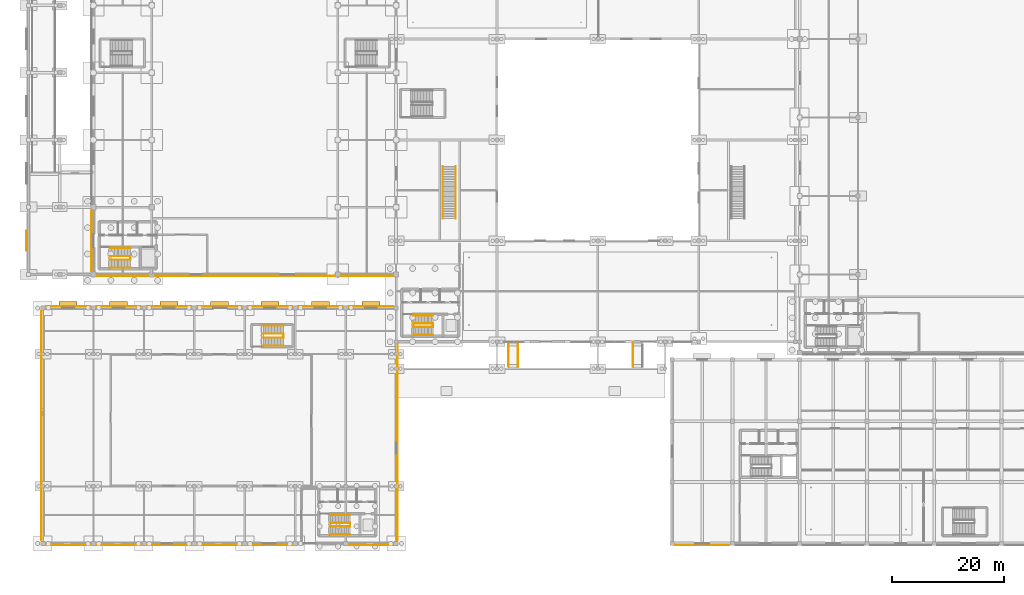
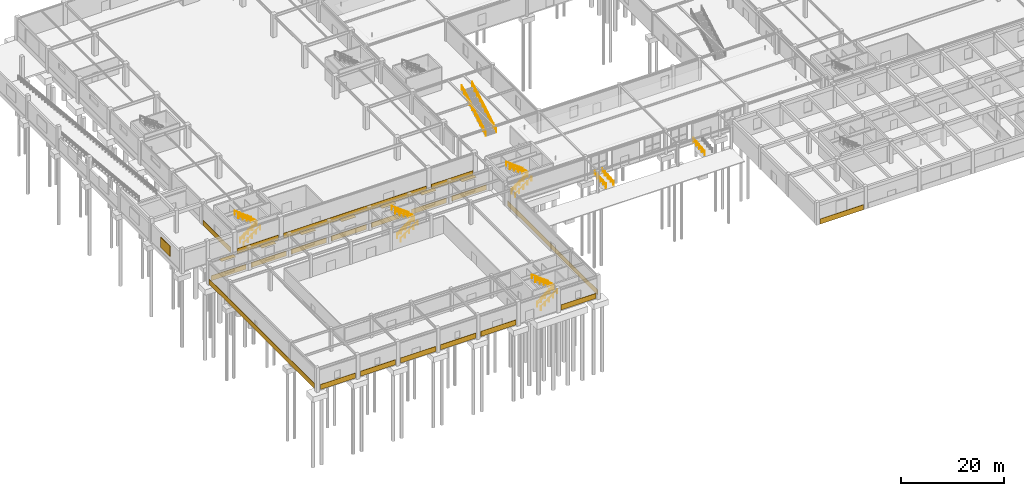
# One storey, part 48 of 53: 20 coverings, 17 railings, 8 shading devices.
"""IFC4 building model written with IfcOpenShell, lengths in metres."""

from ifc_helpers import new_model, si_unit, derived_unit, direction, frame, origin, origin_2d, place, context, subcontext, project, spatial, rectangle, circle, extrude, material, layer, layer_set, type_object, element, save


model = new_model("IFC4")

# Units and contexts
model_context = context("Model", 3, precision=1e-05, world=origin(), true_north=direction((0.0, 1.0)))
body_context = subcontext(model_context, "Body", "Model", "MODEL_VIEW")
ifc_project = project(units=[si_unit("LENGTHUNIT", "METRE"), si_unit("AREAUNIT", "SQUARE_METRE"), si_unit("VOLUMEUNIT", "CUBIC_METRE"), si_unit("PLANEANGLEUNIT", "RADIAN"), si_unit("MASSUNIT", "GRAM", prefix="KILO"), derived_unit("THERMALTRANSMITTANCEUNIT", [(si_unit("POWERUNIT", "WATT"), 1), (si_unit("LENGTHUNIT", "METRE"), -2), (si_unit("THERMODYNAMICTEMPERATUREUNIT", "KELVIN"), -1)])], contexts=[model_context])

# Site, building, storey
site_placement = place(None, origin())
site = spatial("IfcSite", under=ifc_project, at=site_placement, CompositionType="ELEMENT")
building_placement = place(site_placement, origin())
building = spatial("IfcBuilding", under=site, at=building_placement, Name="Almenara Railside Exhibition Hall", CompositionType="ELEMENT")
storey_placement = place(building_placement, origin())
storey = spatial("IfcBuildingStorey", under=building, at=storey_placement, Name="L00", CompositionType="ELEMENT", Elevation=0.0)

# Shading devices
ifc_material_1 = material(Name="Bronze-anodised acoustic aluminium louvre", Category="aluminium")
shading_device_type_1 = type_object("IfcShadingDeviceType", Name="Acoustic Ramp Ventilation Louvre Bank 3600x2400", PredefinedType="JALOUSIE", material=ifc_material_1)
shading_device_placement = place(storey_placement, frame((0.132568359375, 54.0, 1.0), z_axis=(0.0, 0.0, 1.0), x_axis=(0.0, 1.0, 0.0)))
element("IfcShadingDevice", 1, at=shading_device_placement, inside=storey, type_object=shading_device_type_1, Name="Truck ramp acoustic louvre 0029", PredefinedType="JALOUSIE", context=body_context, shape_type="SweptSolid", body=[
    extrude(rectangle(XDim=3.60009765625, YDim=0.14990234375, at=origin_2d()), origin(), (0.0, 0.0, 1.0), 2.39990234375),
])
ifc_material_2 = material(Name="Bronze-anodised aluminium solar brise-soleil", Category="aluminium")
shading_device_type_2 = type_object("IfcShadingDeviceType", Name="North Solar Brise-Soleil Hood 900mm", PredefinedType="USERDEFINED", material=ifc_material_2)
for number, where, z_axis, x_axis, name in (
    (2, (7.5, 42.68994140625, 3.7099609375), (0.0, 0.0, 1.0), (-1.0, 0.0, 0.0), "Solar brise-soleil 0003"),
    (3, (16.5, 42.68994140625, 3.7099609375), (0.0, 0.0, 1.0), (-1.0, 0.0, 0.0), "Solar brise-soleil 0004"),
    (4, (25.5, 42.68994140625, 3.7099609375), (0.0, 0.0, 1.0), (-1.0, 0.0, 0.0), "Solar brise-soleil 0005"),
    (5, (34.5, 42.68994140625, 3.7099609375), (0.0, 0.0, 1.0), (-1.0, 0.0, 0.0), "Solar brise-soleil 0006"),
    (6, (43.5, 42.68994140625, 3.7099609375), (0.0, 0.0, 1.0), (-1.0, 0.0, 0.0), "Solar brise-soleil 0007"),
    (7, (52.5, 42.68994140625, 3.7099609375), (0.0, 0.0, 1.0), (-1.0, 0.0, 0.0), "Solar brise-soleil 0008"),
    (8, (61.5, 42.68994140625, 3.7099609375), (0.0, 0.0, 1.0), (-1.0, 0.0, 0.0), "Solar brise-soleil 0009"),
):
    element("IfcShadingDevice", number, at=place(storey_placement, frame(where, z_axis=z_axis, x_axis=x_axis)), inside=storey, type_object=shading_device_type_2, Name=name, ObjectType="BRISE_SOLEIL", PredefinedType="USERDEFINED", context=body_context, shape_type="SweptSolid", body=[
        extrude(rectangle(XDim=3.199951171875, YDim=0.89990234375, at=origin_2d()), origin(), (0.0, 0.0, 1.0), 0.139892578125),
    ])

# Coverings
ifc_material_3 = material(Name="Koppie quartzite dressed stone cladding", Category="masonry")
ifc_layer = layer(ifc_material_3, 0.080078125, Name="Koppie quartzite dressed stone cladding")
ifc_layer_set = layer_set([ifc_layer], Name="Koppie quartzite dressed stone cladding")
covering_type = type_object("IfcCoveringType", Name="Rusticated Koppie Quartzite Plinth Cladding 80mm", PredefinedType="CLADDING", material=ifc_layer_set)
covering_1_placement = place(storey_placement, frame((11.68994140625, 54.0, 0.0), z_axis=(0.0, 0.0, 1.0), x_axis=(0.0, -1.0, 0.0)))
element("IfcCovering", 9, at=covering_1_placement, inside=storey, type_object=covering_type, Name="Stone plinth cladding 0001", PredefinedType="CLADDING", context=body_context, shape_type="SweptSolid", body=[
    extrude(rectangle(XDim=10.89990234375, YDim=0.080078125, at=origin_2d()), origin(), (0.0, 0.0, 1.0), 1.199951171875),
])
covering_2_placement = place(storey_placement, frame((17.199951171875, 47.68994140625, 0.0), z_axis=(0.0, 0.0, 1.0), x_axis=(1.0, 0.0, 0.0)))
element("IfcCovering", 10, at=covering_2_placement, inside=storey, type_object=covering_type, Name="Stone plinth cladding 0010", PredefinedType="CLADDING", context=body_context, shape_type="SweptSolid", body=[
    extrude(rectangle(XDim=9.300048828125, YDim=0.080078125, at=origin_2d()), origin(), (0.0, 0.0, 1.0), 1.199951171875),
])
covering_3_placement = place(storey_placement, frame((39.0, 47.68994140625, 0.0), z_axis=(0.0, 0.0, 1.0), x_axis=(1.0, 0.0, 0.0)))
element("IfcCovering", 11, at=covering_3_placement, inside=storey, type_object=covering_type, Name="Stone plinth cladding 0011", PredefinedType="CLADDING", context=body_context, shape_type="SweptSolid", body=[
    extrude(rectangle(XDim=32.10009765625, YDim=0.080078125, at=origin_2d()), origin(), (0.0, 0.0, 1.0), 1.199951171875),
])
covering_4_placement = place(storey_placement, frame((60.800048828125, 47.68994140625, 0.0), z_axis=(0.0, 0.0, 1.0), x_axis=(1.0, 0.0, 0.0)))
element("IfcCovering", 12, at=covering_4_placement, inside=storey, type_object=covering_type, Name="Stone plinth cladding 0012", PredefinedType="CLADDING", context=body_context, shape_type="SweptSolid", body=[
    extrude(rectangle(XDim=9.300048828125, YDim=0.080078125, at=origin_2d()), origin(), (0.0, 0.0, 1.0), 1.199951171875),
])
for number, where, z_axis, x_axis, name in (
    (13, (7.5, -0.280029296875, 0.0), (0.0, 0.0, 1.0), (1.0, 0.0, 0.0), "Stone plinth cladding 0029"),
    (14, (7.5, 42.280029296875, 0.0), (0.0, 0.0, 1.0), (-1.0, 0.0, 0.0), "Stone plinth cladding 0030"),
    (15, (16.5, -0.280029296875, 0.0), (0.0, 0.0, 1.0), (1.0, 0.0, 0.0), "Stone plinth cladding 0031"),
    (16, (16.5, 42.280029296875, 0.0), (0.0, 0.0, 1.0), (-1.0, 0.0, 0.0), "Stone plinth cladding 0032"),
    (17, (25.5, -0.280029296875, 0.0), (0.0, 0.0, 1.0), (1.0, 0.0, 0.0), "Stone plinth cladding 0033"),
    (18, (25.5, 42.280029296875, 0.0), (0.0, 0.0, 1.0), (-1.0, 0.0, 0.0), "Stone plinth cladding 0034"),
    (19, (34.5, -0.280029296875, 0.0), (0.0, 0.0, 1.0), (1.0, 0.0, 0.0), "Stone plinth cladding 0035"),
    (20, (34.5, 42.280029296875, 0.0), (0.0, 0.0, 1.0), (-1.0, 0.0, 0.0), "Stone plinth cladding 0036"),
    (21, (43.5, -0.280029296875, 0.0), (0.0, 0.0, 1.0), (1.0, 0.0, 0.0), "Stone plinth cladding 0037"),
    (22, (43.5, 42.280029296875, 0.0), (0.0, 0.0, 1.0), (-1.0, 0.0, 0.0), "Stone plinth cladding 0038"),
    (23, (52.5, 42.280029296875, 0.0), (0.0, 0.0, 1.0), (-1.0, 0.0, 0.0), "Stone plinth cladding 0039"),
    (24, (61.5, -0.280029296875, 0.0), (0.0, 0.0, 1.0), (1.0, 0.0, 0.0), "Stone plinth cladding 0040"),
    (25, (61.5, 42.280029296875, 0.0), (0.0, 0.0, 1.0), (-1.0, 0.0, 0.0), "Stone plinth cladding 0041"),
):
    element("IfcCovering", number, at=place(storey_placement, frame(where, z_axis=z_axis, x_axis=x_axis)), inside=storey, type_object=covering_type, Name=name, PredefinedType="CLADDING", context=body_context, shape_type="SweptSolid", body=[
        extrude(rectangle(XDim=7.89990234375, YDim=0.080078125, at=origin_2d()), origin(), (0.0, 0.0, 1.0), 1.199951171875),
    ])
covering_5_placement = place(storey_placement, frame((2.719970703125, 21.0, 0.0), z_axis=(0.0, 0.0, 1.0), x_axis=(0.0, -1.0, 0.0)))
element("IfcCovering", 26, at=covering_5_placement, inside=storey, type_object=covering_type, Name="Stone plinth cladding 0042", PredefinedType="CLADDING", context=body_context, shape_type="SweptSolid", body=[
    extrude(rectangle(XDim=40.89990234375, YDim=0.080078125, at=origin_2d()), origin(), (0.0, 0.0, 1.0), 1.199951171875),
])
covering_6_placement = place(storey_placement, frame((66.280029296875, 18.0, 0.0), z_axis=(0.0, 0.0, 1.0), x_axis=(0.0, 1.0, 0.0)))
element("IfcCovering", 27, at=covering_6_placement, inside=storey, type_object=covering_type, Name="Stone plinth cladding 0043", PredefinedType="CLADDING", context=body_context, shape_type="SweptSolid", body=[
    extrude(rectangle(XDim=34.89990234375, YDim=0.080078125, at=origin_2d()), origin(), (0.0, 0.0, 1.0), 1.199951171875),
])
covering_7_placement = place(storey_placement, frame((120.60009765625, -0.264892578125, 0.0), z_axis=(0.0, 0.0, 1.0), x_axis=(1.0, 0.0, 0.0)))
element("IfcCovering", 28, at=covering_7_placement, inside=storey, type_object=covering_type, Name="Stone plinth cladding 0047", PredefinedType="CLADDING", context=body_context, shape_type="SweptSolid", body=[
    extrude(rectangle(XDim=9.699951171875, YDim=0.080078125, at=origin_2d()), origin(), (0.0, 0.0, 1.0), 1.199951171875),
])

# Railings
ifc_material_4 = material(Name="Bronze-finished tubular steel handrail", Category="steel")
railing_type_1 = type_object("IfcRailingType", Name="Stair Pitch Handrail 920mm", PredefinedType="HANDRAIL", material=ifc_material_4)
railing_1_placement = place(storey_placement, frame((14.949951171875, 49.199951171875, 0.0)))
element("IfcRailing", 29, at=railing_1_placement, inside=storey, type_object=railing_type_1, Name="HR-L00-0001", PredefinedType="HANDRAIL", context=body_context, shape_type="SweptSolid", body=[
    extrude(circle(Radius=0.02392578125, at=origin_2d()), frame((0.0, 0.0, 0.89599609375), z_axis=(0.803944740431, 0.0, 0.594704005647), x_axis=(0.0, 1.0, 0.0)), (0.0, 0.0, 1.0), 4.5400390625),
    extrude(circle(Radius=0.02099609375, at=origin_2d()), origin(), (0.0, 0.0, 1.0), 0.871826171875),
    extrude(circle(Radius=0.02099609375, at=origin_2d()), frame((0.91259765625, 0.0, 0.675048828125)), (0.0, 0.0, 1.0), 0.871826171875),
    extrude(circle(Radius=0.02099609375, at=origin_2d()), frame((1.824951171875, 0.0, 1.35009765625)), (0.0, 0.0, 1.0), 0.871826171875),
    extrude(circle(Radius=0.02099609375, at=origin_2d()), frame((2.7373046875, 0.0, 2.02490234375)), (0.0, 0.0, 1.0), 0.871826171875),
    extrude(circle(Radius=0.02099609375, at=origin_2d()), frame((3.64990234375, 0.0, 2.699951171875)), (0.0, 0.0, 1.0), 0.871826171875),
])
railing_2_placement = place(storey_placement, frame((18.599853515625, 52.699951171875, 2.699951171875)))
element("IfcRailing", 30, at=railing_2_placement, inside=storey, type_object=railing_type_1, Name="HR-L00-0002", PredefinedType="HANDRAIL", context=body_context, shape_type="SweptSolid", body=[
    extrude(circle(Radius=0.02392578125, at=origin_2d()), frame((0.0, 0.0, 0.89599609375), z_axis=(-0.803944740431, 0.0, 0.594704005647), x_axis=(0.0, -1.0, 0.0)), (0.0, 0.0, 1.0), 4.5400390625),
    extrude(circle(Radius=0.02099609375, at=origin_2d()), origin(), (0.0, 0.0, 1.0), 0.871826171875),
    extrude(circle(Radius=0.02099609375, at=origin_2d()), frame((-0.91259765625, 0.0, 0.675048828125)), (0.0, 0.0, 1.0), 0.871826171875),
    extrude(circle(Radius=0.02099609375, at=origin_2d()), frame((-1.824951171875, 0.0, 1.35009765625)), (0.0, 0.0, 1.0), 0.871826171875),
    extrude(circle(Radius=0.02099609375, at=origin_2d()), frame((-2.7373046875, 0.0, 2.02490234375)), (0.0, 0.0, 1.0), 0.871826171875),
    extrude(circle(Radius=0.02099609375, at=origin_2d()), frame((-3.64990234375, 0.0, 2.699951171875)), (0.0, 0.0, 1.0), 0.871826171875),
])
railing_3_placement = place(storey_placement, frame((68.949951171875, 37.199951171875, 0.0)))
element("IfcRailing", 31, at=railing_3_placement, inside=storey, type_object=railing_type_1, Name="HR-L00-0021", PredefinedType="HANDRAIL", context=body_context, shape_type="SweptSolid", body=[
    extrude(circle(Radius=0.02392578125, at=origin_2d()), frame((0.0, 0.0, 0.89599609375), z_axis=(0.803944740431, 0.0, 0.594704005647), x_axis=(0.0, 1.0, 0.0)), (0.0, 0.0, 1.0), 4.5400390625),
    extrude(circle(Radius=0.02099609375, at=origin_2d()), origin(), (0.0, 0.0, 1.0), 0.871826171875),
    extrude(circle(Radius=0.02099609375, at=origin_2d()), frame((0.91259765625, 0.0, 0.675048828125)), (0.0, 0.0, 1.0), 0.871826171875),
    extrude(circle(Radius=0.02099609375, at=origin_2d()), frame((1.824951171875, 0.0, 1.35009765625)), (0.0, 0.0, 1.0), 0.871826171875),
    extrude(circle(Radius=0.02099609375, at=origin_2d()), frame((2.7373046875, 0.0, 2.02490234375)), (0.0, 0.0, 1.0), 0.871826171875),
    extrude(circle(Radius=0.02099609375, at=origin_2d()), frame((3.64990234375, 0.0, 2.699951171875)), (0.0, 0.0, 1.0), 0.871826171875),
])
railing_4_placement = place(storey_placement, frame((72.599853515625, 40.699951171875, 2.699951171875)))
element("IfcRailing", 32, at=railing_4_placement, inside=storey, type_object=railing_type_1, Name="HR-L00-0022", PredefinedType="HANDRAIL", context=body_context, shape_type="SweptSolid", body=[
    extrude(circle(Radius=0.02392578125, at=origin_2d()), frame((0.0, 0.0, 0.89599609375), z_axis=(-0.803944740431, 0.0, 0.594704005647), x_axis=(0.0, -1.0, 0.0)), (0.0, 0.0, 1.0), 4.5400390625),
    extrude(circle(Radius=0.02099609375, at=origin_2d()), origin(), (0.0, 0.0, 1.0), 0.871826171875),
    extrude(circle(Radius=0.02099609375, at=origin_2d()), frame((-0.91259765625, 0.0, 0.675048828125)), (0.0, 0.0, 1.0), 0.871826171875),
    extrude(circle(Radius=0.02099609375, at=origin_2d()), frame((-1.824951171875, 0.0, 1.35009765625)), (0.0, 0.0, 1.0), 0.871826171875),
    extrude(circle(Radius=0.02099609375, at=origin_2d()), frame((-2.7373046875, 0.0, 2.02490234375)), (0.0, 0.0, 1.0), 0.871826171875),
    extrude(circle(Radius=0.02099609375, at=origin_2d()), frame((-3.64990234375, 0.0, 2.699951171875)), (0.0, 0.0, 1.0), 0.871826171875),
])
railing_5_placement = place(storey_placement, frame((54.14990234375, 1.60009765625, 0.0)))
element("IfcRailing", 33, at=railing_5_placement, inside=storey, type_object=railing_type_1, Name="HR-L00-0061", PredefinedType="HANDRAIL", context=body_context, shape_type="SweptSolid", body=[
    extrude(circle(Radius=0.02392578125, at=origin_2d()), frame((0.0, 0.0, 0.89599609375), z_axis=(0.803944740431, 0.0, 0.594704005647), x_axis=(0.0, 1.0, 0.0)), (0.0, 0.0, 1.0), 4.5400390625),
    extrude(circle(Radius=0.02099609375, at=origin_2d()), origin(), (0.0, 0.0, 1.0), 0.871826171875),
    extrude(circle(Radius=0.02099609375, at=origin_2d()), frame((0.91259765625, 0.0, 0.675048828125)), (0.0, 0.0, 1.0), 0.871826171875),
    extrude(circle(Radius=0.02099609375, at=origin_2d()), frame((1.824951171875, 0.0, 1.35009765625)), (0.0, 0.0, 1.0), 0.871826171875),
    extrude(circle(Radius=0.02099609375, at=origin_2d()), frame((2.7373046875, 0.0, 2.02490234375)), (0.0, 0.0, 1.0), 0.871826171875),
    extrude(circle(Radius=0.02099609375, at=origin_2d()), frame((3.64990234375, 0.0, 2.699951171875)), (0.0, 0.0, 1.0), 0.871826171875),
])
railing_6_placement = place(storey_placement, frame((57.7998046875, 5.10009765625, 2.699951171875)))
element("IfcRailing", 34, at=railing_6_placement, inside=storey, type_object=railing_type_1, Name="HR-L00-0062", PredefinedType="HANDRAIL", context=body_context, shape_type="SweptSolid", body=[
    extrude(circle(Radius=0.02392578125, at=origin_2d()), frame((0.0, 0.0, 0.89599609375), z_axis=(-0.803944740431, 0.0, 0.594704005647), x_axis=(0.0, -1.0, 0.0)), (0.0, 0.0, 1.0), 4.5400390625),
    extrude(circle(Radius=0.02099609375, at=origin_2d()), origin(), (0.0, 0.0, 1.0), 0.871826171875),
    extrude(circle(Radius=0.02099609375, at=origin_2d()), frame((-0.91259765625, 0.0, 0.675048828125)), (0.0, 0.0, 1.0), 0.871826171875),
    extrude(circle(Radius=0.02099609375, at=origin_2d()), frame((-1.824951171875, 0.0, 1.35009765625)), (0.0, 0.0, 1.0), 0.871826171875),
    extrude(circle(Radius=0.02099609375, at=origin_2d()), frame((-2.7373046875, 0.0, 2.02490234375)), (0.0, 0.0, 1.0), 0.871826171875),
    extrude(circle(Radius=0.02099609375, at=origin_2d()), frame((-3.64990234375, 0.0, 2.699951171875)), (0.0, 0.0, 1.0), 0.871826171875),
])
railing_7_placement = place(storey_placement, frame((42.14990234375, 35.300048828125, 0.0)))
element("IfcRailing", 35, at=railing_7_placement, inside=storey, type_object=railing_type_1, Name="HR-L00-0125", PredefinedType="HANDRAIL", context=body_context, shape_type="SweptSolid", body=[
    extrude(circle(Radius=0.02392578125, at=origin_2d()), frame((0.0, 0.0, 0.89599609375), z_axis=(0.813740573448, 0.0, 0.581228250453), x_axis=(0.0, 1.0, 0.0)), (0.0, 0.0, 1.0), 4.645263671875),
    extrude(circle(Radius=0.02099609375, at=origin_2d()), origin(), (0.0, 0.0, 1.0), 0.871826171875),
    extrude(circle(Radius=0.02099609375, at=origin_2d()), frame((0.945068359375, 0.0, 0.675048828125)), (0.0, 0.0, 1.0), 0.871826171875),
    extrude(circle(Radius=0.02099609375, at=origin_2d()), frame((1.89013671875, 0.0, 1.35009765625)), (0.0, 0.0, 1.0), 0.871826171875),
    extrude(circle(Radius=0.02099609375, at=origin_2d()), frame((2.8349609375, 0.0, 2.02490234375)), (0.0, 0.0, 1.0), 0.871826171875),
    extrude(circle(Radius=0.02099609375, at=origin_2d()), frame((3.780029296875, 0.0, 2.699951171875)), (0.0, 0.0, 1.0), 0.871826171875),
])
railing_8_placement = place(storey_placement, frame((45.929931640625, 38.85009765625, 2.699951171875)))
element("IfcRailing", 36, at=railing_8_placement, inside=storey, type_object=railing_type_1, Name="HR-L00-0126", PredefinedType="HANDRAIL", context=body_context, shape_type="SweptSolid", body=[
    extrude(circle(Radius=0.02392578125, at=origin_2d()), frame((0.0, 0.0, 0.89599609375), z_axis=(-0.813740573448, 0.0, 0.581228250453), x_axis=(0.0, -1.0, 0.0)), (0.0, 0.0, 1.0), 4.645263671875),
    extrude(circle(Radius=0.02099609375, at=origin_2d()), origin(), (0.0, 0.0, 1.0), 0.871826171875),
    extrude(circle(Radius=0.02099609375, at=origin_2d()), frame((-0.945068359375, 0.0, 0.675048828125)), (0.0, 0.0, 1.0), 0.871826171875),
    extrude(circle(Radius=0.02099609375, at=origin_2d()), frame((-1.89013671875, 0.0, 1.35009765625)), (0.0, 0.0, 1.0), 0.871826171875),
    extrude(circle(Radius=0.02099609375, at=origin_2d()), frame((-2.8349609375, 0.0, 2.02490234375)), (0.0, 0.0, 1.0), 0.871826171875),
    extrude(circle(Radius=0.02099609375, at=origin_2d()), frame((-3.780029296875, 0.0, 2.699951171875)), (0.0, 0.0, 1.0), 0.871826171875),
])
ifc_material_5 = material(Name="Dark wrought-iron stair balustrade")
railing_type_2 = type_object("IfcRailingType", Name="Stair Well Guard Rail 1120mm", PredefinedType="BALUSTRADE", material=ifc_material_5)
railing_9_placement = place(storey_placement, frame((14.949951171875, 50.6298828125, 0.0)))
element("IfcRailing", 37, at=railing_9_placement, inside=storey, type_object=railing_type_2, Name="SG-L00-0003", PredefinedType="BALUSTRADE", context=body_context, shape_type="SweptSolid", body=[
    extrude(circle(Radius=0.02392578125, at=origin_2d()), frame((0.0, 0.0, 1.09619140625), z_axis=(0.803944740431, 0.0, 0.594704005647), x_axis=(0.0, 1.0, 0.0)), (0.0, 0.0, 1.0), 4.5400390625),
    extrude(circle(Radius=0.01416015625, at=origin_2d()), frame((0.0, 0.0, 0.56005859375), z_axis=(0.803944740431, 0.0, 0.594704005647), x_axis=(0.0, 1.0, 0.0)), (0.0, 0.0, 1.0), 4.5400390625),
    extrude(circle(Radius=0.02392578125, at=origin_2d()), frame((3.64990234375, 0.0, 3.7958984375), z_axis=(0.0, 1.0, 0.0), x_axis=(-1.0, 0.0, 0.0)), (0.0, 0.0, 1.0), 0.64013671875),
    extrude(circle(Radius=0.01416015625, at=origin_2d()), frame((3.64990234375, 0.0, 3.260009765625), z_axis=(0.0, 1.0, 0.0), x_axis=(-1.0, 0.0, 0.0)), (0.0, 0.0, 1.0), 0.64013671875),
    extrude(circle(Radius=0.02392578125, at=origin_2d()), frame((3.64990234375, 0.64013671875, 3.7958984375), z_axis=(-0.803944740431, 0.0, 0.594704005647), x_axis=(0.0, -1.0, 0.0)), (0.0, 0.0, 1.0), 4.5400390625),
    extrude(circle(Radius=0.01416015625, at=origin_2d()), frame((3.64990234375, 0.64013671875, 3.260009765625), z_axis=(-0.803944740431, 0.0, 0.594704005647), x_axis=(0.0, -1.0, 0.0)), (0.0, 0.0, 1.0), 4.5400390625),
    extrude(circle(Radius=0.02099609375, at=origin_2d()), origin(), (0.0, 0.0, 1.0), 1.072021484375),
    extrude(circle(Radius=0.02099609375, at=origin_2d()), frame((0.91259765625, 0.0, 0.675048828125)), (0.0, 0.0, 1.0), 1.072021484375),
    extrude(circle(Radius=0.02099609375, at=origin_2d()), frame((1.824951171875, 0.0, 1.35009765625)), (0.0, 0.0, 1.0), 1.072021484375),
    extrude(circle(Radius=0.02099609375, at=origin_2d()), frame((2.7373046875, 0.0, 2.02490234375)), (0.0, 0.0, 1.0), 1.072021484375),
    extrude(circle(Radius=0.02099609375, at=origin_2d()), frame((3.64990234375, 0.0, 2.699951171875)), (0.0, 0.0, 1.0), 1.072021484375),
    extrude(circle(Radius=0.02099609375, at=origin_2d()), frame((3.64990234375, 0.64013671875, 2.699951171875)), (0.0, 0.0, 1.0), 1.072021484375),
    extrude(circle(Radius=0.02099609375, at=origin_2d()), frame((2.7373046875, 0.64013671875, 3.375)), (0.0, 0.0, 1.0), 1.072021484375),
    extrude(circle(Radius=0.02099609375, at=origin_2d()), frame((1.824951171875, 0.64013671875, 4.0498046875)), (0.0, 0.0, 1.0), 1.072021484375),
    extrude(circle(Radius=0.02099609375, at=origin_2d()), frame((0.91259765625, 0.64013671875, 4.724853515625)), (0.0, 0.0, 1.0), 1.072021484375),
    extrude(circle(Radius=0.02099609375, at=origin_2d()), frame((0.0, 0.64013671875, 5.39990234375)), (0.0, 0.0, 1.0), 1.072021484375),
])
railing_10_placement = place(storey_placement, frame((68.949951171875, 38.6298828125, 0.0)))
element("IfcRailing", 38, at=railing_10_placement, inside=storey, type_object=railing_type_2, Name="SG-L00-0023", PredefinedType="BALUSTRADE", context=body_context, shape_type="SweptSolid", body=[
    extrude(circle(Radius=0.02392578125, at=origin_2d()), frame((0.0, 0.0, 1.09619140625), z_axis=(0.803944740431, 0.0, 0.594704005647), x_axis=(0.0, 1.0, 0.0)), (0.0, 0.0, 1.0), 4.5400390625),
    extrude(circle(Radius=0.01416015625, at=origin_2d()), frame((0.0, 0.0, 0.56005859375), z_axis=(0.803944740431, 0.0, 0.594704005647), x_axis=(0.0, 1.0, 0.0)), (0.0, 0.0, 1.0), 4.5400390625),
    extrude(circle(Radius=0.02392578125, at=origin_2d()), frame((3.64990234375, 0.0, 3.7958984375), z_axis=(0.0, 1.0, 0.0), x_axis=(-1.0, 0.0, 0.0)), (0.0, 0.0, 1.0), 0.64013671875),
    extrude(circle(Radius=0.01416015625, at=origin_2d()), frame((3.64990234375, 0.0, 3.260009765625), z_axis=(0.0, 1.0, 0.0), x_axis=(-1.0, 0.0, 0.0)), (0.0, 0.0, 1.0), 0.64013671875),
    extrude(circle(Radius=0.02392578125, at=origin_2d()), frame((3.64990234375, 0.64013671875, 3.7958984375), z_axis=(-0.803944740431, 0.0, 0.594704005647), x_axis=(0.0, -1.0, 0.0)), (0.0, 0.0, 1.0), 4.5400390625),
    extrude(circle(Radius=0.01416015625, at=origin_2d()), frame((3.64990234375, 0.64013671875, 3.260009765625), z_axis=(-0.803944740431, 0.0, 0.594704005647), x_axis=(0.0, -1.0, 0.0)), (0.0, 0.0, 1.0), 4.5400390625),
    extrude(circle(Radius=0.02099609375, at=origin_2d()), origin(), (0.0, 0.0, 1.0), 1.072021484375),
    extrude(circle(Radius=0.02099609375, at=origin_2d()), frame((0.91259765625, 0.0, 0.675048828125)), (0.0, 0.0, 1.0), 1.072021484375),
    extrude(circle(Radius=0.02099609375, at=origin_2d()), frame((1.824951171875, 0.0, 1.35009765625)), (0.0, 0.0, 1.0), 1.072021484375),
    extrude(circle(Radius=0.02099609375, at=origin_2d()), frame((2.7373046875, 0.0, 2.02490234375)), (0.0, 0.0, 1.0), 1.072021484375),
    extrude(circle(Radius=0.02099609375, at=origin_2d()), frame((3.64990234375, 0.0, 2.699951171875)), (0.0, 0.0, 1.0), 1.072021484375),
    extrude(circle(Radius=0.02099609375, at=origin_2d()), frame((3.64990234375, 0.64013671875, 2.699951171875)), (0.0, 0.0, 1.0), 1.072021484375),
    extrude(circle(Radius=0.02099609375, at=origin_2d()), frame((2.7373046875, 0.64013671875, 3.375)), (0.0, 0.0, 1.0), 1.072021484375),
    extrude(circle(Radius=0.02099609375, at=origin_2d()), frame((1.824951171875, 0.64013671875, 4.0498046875)), (0.0, 0.0, 1.0), 1.072021484375),
    extrude(circle(Radius=0.02099609375, at=origin_2d()), frame((0.91259765625, 0.64013671875, 4.724853515625)), (0.0, 0.0, 1.0), 1.072021484375),
    extrude(circle(Radius=0.02099609375, at=origin_2d()), frame((0.0, 0.64013671875, 5.39990234375)), (0.0, 0.0, 1.0), 1.072021484375),
])
railing_11_placement = place(storey_placement, frame((54.14990234375, 3.030029296875, 0.0)))
element("IfcRailing", 39, at=railing_11_placement, inside=storey, type_object=railing_type_2, Name="SG-L00-0063", PredefinedType="BALUSTRADE", context=body_context, shape_type="SweptSolid", body=[
    extrude(circle(Radius=0.02392578125, at=origin_2d()), frame((0.0, 0.0, 1.09619140625), z_axis=(0.803944740431, 0.0, 0.594704005647), x_axis=(0.0, 1.0, 0.0)), (0.0, 0.0, 1.0), 4.5400390625),
    extrude(circle(Radius=0.01416015625, at=origin_2d()), frame((0.0, 0.0, 0.56005859375), z_axis=(0.803944740431, 0.0, 0.594704005647), x_axis=(0.0, 1.0, 0.0)), (0.0, 0.0, 1.0), 4.5400390625),
    extrude(circle(Radius=0.02392578125, at=origin_2d()), frame((3.64990234375, 0.0, 3.7958984375), z_axis=(0.0, 1.0, 0.0), x_axis=(-1.0, 0.0, 0.0)), (0.0, 0.0, 1.0), 0.639892578125),
    extrude(circle(Radius=0.01416015625, at=origin_2d()), frame((3.64990234375, 0.0, 3.260009765625), z_axis=(0.0, 1.0, 0.0), x_axis=(-1.0, 0.0, 0.0)), (0.0, 0.0, 1.0), 0.639892578125),
    extrude(circle(Radius=0.02392578125, at=origin_2d()), frame((3.64990234375, 0.639892578125, 3.7958984375), z_axis=(-0.803944740431, 0.0, 0.594704005647), x_axis=(0.0, -1.0, 0.0)), (0.0, 0.0, 1.0), 4.5400390625),
    extrude(circle(Radius=0.01416015625, at=origin_2d()), frame((3.64990234375, 0.639892578125, 3.260009765625), z_axis=(-0.803944740431, 0.0, 0.594704005647), x_axis=(0.0, -1.0, 0.0)), (0.0, 0.0, 1.0), 4.5400390625),
    extrude(circle(Radius=0.02099609375, at=origin_2d()), origin(), (0.0, 0.0, 1.0), 1.072021484375),
    extrude(circle(Radius=0.02099609375, at=origin_2d()), frame((0.91259765625, 0.0, 0.675048828125)), (0.0, 0.0, 1.0), 1.072021484375),
    extrude(circle(Radius=0.02099609375, at=origin_2d()), frame((1.824951171875, 0.0, 1.35009765625)), (0.0, 0.0, 1.0), 1.072021484375),
    extrude(circle(Radius=0.02099609375, at=origin_2d()), frame((2.7373046875, 0.0, 2.02490234375)), (0.0, 0.0, 1.0), 1.072021484375),
    extrude(circle(Radius=0.02099609375, at=origin_2d()), frame((3.64990234375, 0.0, 2.699951171875)), (0.0, 0.0, 1.0), 1.072021484375),
    extrude(circle(Radius=0.02099609375, at=origin_2d()), frame((3.64990234375, 0.639892578125, 2.699951171875)), (0.0, 0.0, 1.0), 1.072021484375),
    extrude(circle(Radius=0.02099609375, at=origin_2d()), frame((2.7373046875, 0.639892578125, 3.375)), (0.0, 0.0, 1.0), 1.072021484375),
    extrude(circle(Radius=0.02099609375, at=origin_2d()), frame((1.824951171875, 0.639892578125, 4.0498046875)), (0.0, 0.0, 1.0), 1.072021484375),
    extrude(circle(Radius=0.02099609375, at=origin_2d()), frame((0.91259765625, 0.639892578125, 4.724853515625)), (0.0, 0.0, 1.0), 1.072021484375),
    extrude(circle(Radius=0.02099609375, at=origin_2d()), frame((0.0, 0.639892578125, 5.39990234375)), (0.0, 0.0, 1.0), 1.072021484375),
])
railing_12_placement = place(storey_placement, frame((42.14990234375, 36.72998046875, 0.0)))
element("IfcRailing", 40, at=railing_12_placement, inside=storey, type_object=railing_type_2, Name="SG-L00-0127", PredefinedType="BALUSTRADE", context=body_context, shape_type="SweptSolid", body=[
    extrude(circle(Radius=0.02392578125, at=origin_2d()), frame((0.0, 0.0, 1.09619140625), z_axis=(0.813740573448, 0.0, 0.581228250453), x_axis=(0.0, 1.0, 0.0)), (0.0, 0.0, 1.0), 4.645263671875),
    extrude(circle(Radius=0.01416015625, at=origin_2d()), frame((0.0, 0.0, 0.56005859375), z_axis=(0.813740573448, 0.0, 0.581228250453), x_axis=(0.0, 1.0, 0.0)), (0.0, 0.0, 1.0), 4.645263671875),
    extrude(circle(Radius=0.02392578125, at=origin_2d()), frame((3.780029296875, 0.0, 3.7958984375), z_axis=(0.0, 1.0, 0.0), x_axis=(-1.0, 0.0, 0.0)), (0.0, 0.0, 1.0), 0.68994140625),
    extrude(circle(Radius=0.01416015625, at=origin_2d()), frame((3.780029296875, 0.0, 3.260009765625), z_axis=(0.0, 1.0, 0.0), x_axis=(-1.0, 0.0, 0.0)), (0.0, 0.0, 1.0), 0.68994140625),
    extrude(circle(Radius=0.02392578125, at=origin_2d()), frame((3.780029296875, 0.68994140625, 3.7958984375), z_axis=(-0.813740573448, 0.0, 0.581228250453), x_axis=(0.0, -1.0, 0.0)), (0.0, 0.0, 1.0), 4.645263671875),
    extrude(circle(Radius=0.01416015625, at=origin_2d()), frame((3.780029296875, 0.68994140625, 3.260009765625), z_axis=(-0.813740573448, 0.0, 0.581228250453), x_axis=(0.0, -1.0, 0.0)), (0.0, 0.0, 1.0), 4.645263671875),
    extrude(circle(Radius=0.02099609375, at=origin_2d()), origin(), (0.0, 0.0, 1.0), 1.072021484375),
    extrude(circle(Radius=0.02099609375, at=origin_2d()), frame((0.945068359375, 0.0, 0.675048828125)), (0.0, 0.0, 1.0), 1.072021484375),
    extrude(circle(Radius=0.02099609375, at=origin_2d()), frame((1.89013671875, 0.0, 1.35009765625)), (0.0, 0.0, 1.0), 1.072021484375),
    extrude(circle(Radius=0.02099609375, at=origin_2d()), frame((2.8349609375, 0.0, 2.02490234375)), (0.0, 0.0, 1.0), 1.072021484375),
    extrude(circle(Radius=0.02099609375, at=origin_2d()), frame((3.780029296875, 0.0, 2.699951171875)), (0.0, 0.0, 1.0), 1.072021484375),
    extrude(circle(Radius=0.02099609375, at=origin_2d()), frame((3.780029296875, 0.68994140625, 2.699951171875)), (0.0, 0.0, 1.0), 1.072021484375),
    extrude(circle(Radius=0.02099609375, at=origin_2d()), frame((2.8349609375, 0.68994140625, 3.375)), (0.0, 0.0, 1.0), 1.072021484375),
    extrude(circle(Radius=0.02099609375, at=origin_2d()), frame((1.89013671875, 0.68994140625, 4.0498046875)), (0.0, 0.0, 1.0), 1.072021484375),
    extrude(circle(Radius=0.02099609375, at=origin_2d()), frame((0.945068359375, 0.68994140625, 4.724853515625)), (0.0, 0.0, 1.0), 1.072021484375),
    extrude(circle(Radius=0.02099609375, at=origin_2d()), frame((0.0, 0.68994140625, 5.39990234375)), (0.0, 0.0, 1.0), 1.072021484375),
])
for number, where, name in (
    (41, (74.340087890625, 58.0, 0.0), "SG-L00-0137"),
    (42, (76.659912109375, 58.0, 0.0), "SG-L00-0138"),
):
    element("IfcRailing", number, at=place(storey_placement, frame(where)), inside=storey, type_object=railing_type_2, Name=name, PredefinedType="BALUSTRADE", context=body_context, shape_type="SweptSolid", body=[
        extrude(circle(Radius=0.02392578125, at=origin_2d()), frame((0.0, 0.0, 1.09619140625), z_axis=(0.0, 0.86479403468, 0.502126754497), x_axis=(-1.0, 0.0, 0.0)), (0.0, 0.0, 1.0), 10.754150390625),
        extrude(circle(Radius=0.01416015625, at=origin_2d()), frame((0.0, 0.0, 0.56005859375), z_axis=(0.0, 0.86479403468, 0.502126754497), x_axis=(-1.0, 0.0, 0.0)), (0.0, 0.0, 1.0), 10.754150390625),
        extrude(circle(Radius=0.02099609375, at=origin_2d()), origin(), (0.0, 0.0, 1.0), 1.072021484375),
        extrude(circle(Radius=0.02099609375, at=origin_2d()), frame((0.0, 1.033447265625, 0.60009765625)), (0.0, 0.0, 1.0), 1.072021484375),
        extrude(circle(Radius=0.02099609375, at=origin_2d()), frame((0.0, 2.066650390625, 1.199951171875)), (0.0, 0.0, 1.0), 1.072021484375),
        extrude(circle(Radius=0.02099609375, at=origin_2d()), frame((0.0, 3.10009765625, 1.800048828125)), (0.0, 0.0, 1.0), 1.072021484375),
        extrude(circle(Radius=0.02099609375, at=origin_2d()), frame((0.0, 4.13330078125, 2.39990234375)), (0.0, 0.0, 1.0), 1.072021484375),
        extrude(circle(Radius=0.02099609375, at=origin_2d()), frame((0.0, 5.166748046875, 3.0)), (0.0, 0.0, 1.0), 1.072021484375),
        extrude(circle(Radius=0.02099609375, at=origin_2d()), frame((0.0, 6.199951171875, 3.599853515625)), (0.0, 0.0, 1.0), 1.072021484375),
        extrude(circle(Radius=0.02099609375, at=origin_2d()), frame((0.0, 7.2333984375, 4.199951171875)), (0.0, 0.0, 1.0), 1.072021484375),
        extrude(circle(Radius=0.02099609375, at=origin_2d()), frame((0.0, 8.2666015625, 4.7998046875)), (0.0, 0.0, 1.0), 1.072021484375),
        extrude(circle(Radius=0.02099609375, at=origin_2d()), frame((0.0, 9.300048828125, 5.39990234375)), (0.0, 0.0, 1.0), 1.072021484375),
    ])
ifc_material_6 = material(Name="Dark wrought-iron architectural balustrade")
railing_type_3 = type_object("IfcRailingType", Name="Wrought-Iron Rejas Terrace Balustrade 1120mm", PredefinedType="BALUSTRADE", material=ifc_material_6)
for number, where, name in (
    (43, (86.050048828125, 31.550048828125, -0.3701171875), "Guard balustrade 0031"),
    (44, (87.75, 31.550048828125, -0.3701171875), "Guard balustrade 0032"),
    (45, (108.25, 31.550048828125, -0.3701171875), "Guard balustrade 0033"),
):
    element("IfcRailing", number, at=place(storey_placement, frame(where)), inside=storey, type_object=railing_type_3, Name=name, PredefinedType="BALUSTRADE", context=body_context, shape_type="SweptSolid", body=[
        extrude(circle(Radius=0.02392578125, at=origin_2d()), frame((0.0, 0.0, 1.09619140625), z_axis=(0.0, 0.996554142978, 0.082944801602), x_axis=(-1.0, 0.0, 0.0)), (0.0, 0.0, 1.0), 4.4150390625),
        extrude(circle(Radius=0.01416015625, at=origin_2d()), frame((0.0, 0.0, 0.56005859375), z_axis=(0.0, 0.996554142978, 0.082944801602), x_axis=(-1.0, 0.0, 0.0)), (0.0, 0.0, 1.0), 4.4150390625),
        extrude(circle(Radius=0.02099609375, at=origin_2d()), origin(), (0.0, 0.0, 1.0), 1.072021484375),
        extrude(circle(Radius=0.02099609375, at=origin_2d()), frame((0.0, 1.10009765625, 0.091552734375)), (0.0, 0.0, 1.0), 1.072021484375),
        extrude(circle(Radius=0.02099609375, at=origin_2d()), frame((0.0, 2.199951171875, 0.18310546875)), (0.0, 0.0, 1.0), 1.072021484375),
        extrude(circle(Radius=0.02099609375, at=origin_2d()), frame((0.0, 3.2998046875, 0.274658203125)), (0.0, 0.0, 1.0), 1.072021484375),
        extrude(circle(Radius=0.02099609375, at=origin_2d()), frame((0.0, 4.39990234375, 0.3662109375)), (0.0, 0.0, 1.0), 1.072021484375),
    ])

save(model, "model.ifc")
